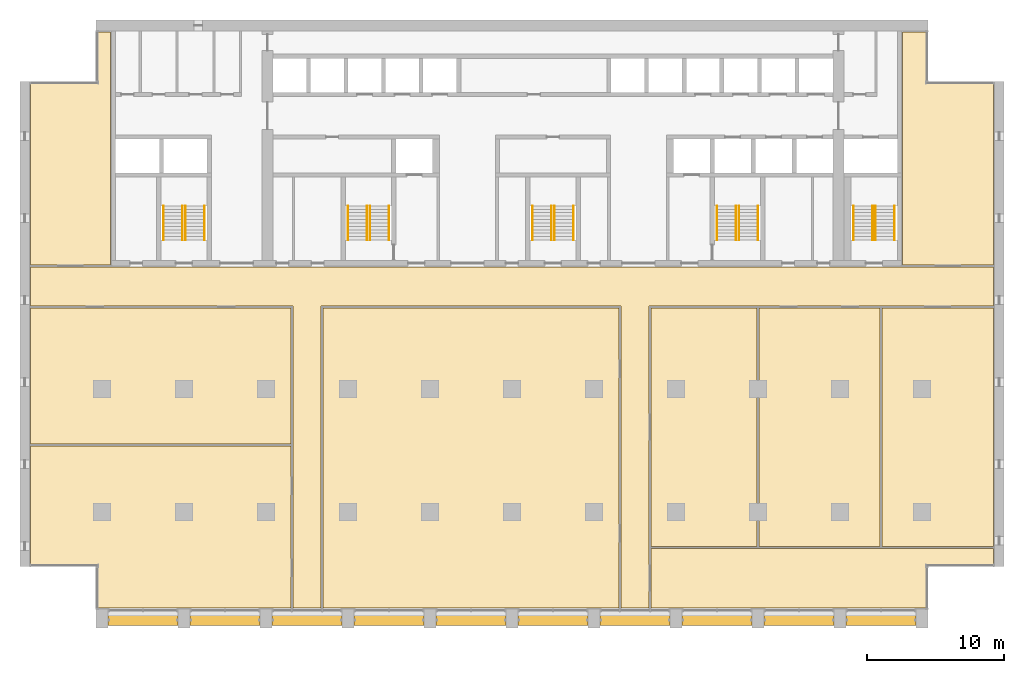
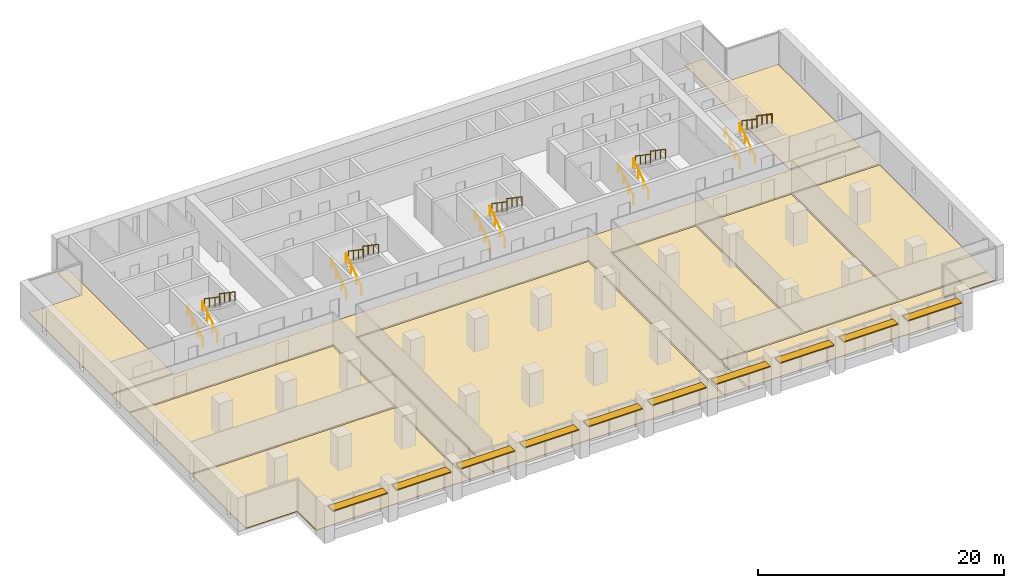
# One storey, part 15 of 15: 20 railings, 10 coverings, 10 shading devices, 5 elements without a shape of their own.
"""IFC4 building model written with IfcOpenShell, lengths in metres."""

from ifc_helpers import new_model, si_unit, direction, frame, origin, origin_2d, place, context, subcontext, project, spatial, polyline, rectangle, circle, outline, extrude, material, layer, layer_set, material_profile, profile_set, type_object, element, aggregate, save


model = new_model("IFC4")

# Units and contexts
model_context = context("Model", 3, precision=1e-05, world=origin(), true_north=direction((0.0, 1.0)))
body_context = subcontext(model_context, "Body", "Model", "MODEL_VIEW")
ifc_project = project(units=[si_unit("LENGTHUNIT", "METRE"), si_unit("AREAUNIT", "SQUARE_METRE"), si_unit("VOLUMEUNIT", "CUBIC_METRE"), si_unit("PLANEANGLEUNIT", "RADIAN"), si_unit("MASSUNIT", "GRAM", prefix="KILO")], contexts=[model_context])

# Site, building, storey
site_placement = place(None, origin())
site = spatial("IfcSite", under=ifc_project, at=site_placement, CompositionType="ELEMENT")
building_placement = place(site_placement, origin())
building = spatial("IfcBuilding", under=site, at=building_placement, Name="Calvaro Tower", CompositionType="ELEMENT")
storey_placement = place(building_placement, frame((0.0, 0.0, 128.75)))
storey = spatial("IfcBuildingStorey", under=building, at=storey_placement, Name="L32", CompositionType="ELEMENT", Elevation=128.75)

# Shading devices
ifc_material_1 = material(Name="Anodised aluminium", Category="aluminium")
ifc_material_profile = material_profile(ifc_material_1, rectangle(XDim=0.800048828125, YDim=0.10009765625, at=origin_2d()), Name="Brise-soleil blade 800 x 100")
ifc_profile_set = profile_set([ifc_material_profile], Name="Anodised aluminium")
shading_device_type = type_object("IfcShadingDeviceType", Name="Brise-soleil blade 800 x 100", PredefinedType="JALOUSIE", material=ifc_profile_set)
for number, where, z_axis, x_axis, name in (
    (1, (6.449951171875, 2.10009765625, 2.39990234375), (1.0, 0.0, 0.0), (0.0, 1.0, 0.0), "Brise-soleil blade 1"),
    (2, (12.449951171875, 2.10009765625, 2.39990234375), (1.0, 0.0, 0.0), (0.0, 1.0, 0.0), "Brise-soleil blade 2"),
    (3, (18.449951171875, 2.10009765625, 2.39990234375), (1.0, 0.0, 0.0), (0.0, 1.0, 0.0), "Brise-soleil blade 3"),
    (4, (24.449951171875, 2.10009765625, 2.39990234375), (1.0, 0.0, 0.0), (0.0, 1.0, 0.0), "Brise-soleil blade 4"),
    (5, (30.449951171875, 2.10009765625, 2.39990234375), (1.0, 0.0, 0.0), (0.0, 1.0, 0.0), "Brise-soleil blade 5"),
    (6, (36.449951171875, 2.10009765625, 2.39990234375), (1.0, 0.0, 0.0), (0.0, 1.0, 0.0), "Brise-soleil blade 6"),
    (7, (42.449951171875, 2.10009765625, 2.39990234375), (1.0, 0.0, 0.0), (0.0, 1.0, 0.0), "Brise-soleil blade 7"),
    (8, (48.449951171875, 2.10009765625, 2.39990234375), (1.0, 0.0, 0.0), (0.0, 1.0, 0.0), "Brise-soleil blade 8"),
    (9, (54.449951171875, 2.10009765625, 2.39990234375), (1.0, 0.0, 0.0), (0.0, 1.0, 0.0), "Brise-soleil blade 9"),
    (10, (60.449951171875, 2.10009765625, 2.39990234375), (1.0, 0.0, 0.0), (0.0, 1.0, 0.0), "Brise-soleil blade 10"),
):
    element("IfcShadingDevice", number, at=place(storey_placement, frame(where, z_axis=z_axis, x_axis=x_axis)), inside=storey, type_object=shading_device_type, Name=name, PredefinedType="JALOUSIE", context=body_context, shape_type="SweptSolid", body=[
        extrude(rectangle(XDim=0.800048828125, YDim=0.10009765625, at=origin_2d()), origin(), (0.0, 0.0, 1.0), 5.10009765625),
    ])

# Coverings
ifc_material_2 = material(Name="Cement screed with carpet tile finish")
ifc_layer = layer(ifc_material_2, 0.050048828125)
ifc_layer_set = layer_set([ifc_layer], Name="Cement screed with carpet tile finish")
covering_type = type_object("IfcCoveringType", Name="Floor finish 50", PredefinedType="FLOORING", material=ifc_layer_set)
covering_1_placement = place(storey_placement, origin())
element("IfcCovering", 11, at=covering_1_placement, inside=storey, type_object=covering_type, Name="Floor finish 20.01", PredefinedType="FLOORING", context=body_context, shape_type="SweptSolid", body=[
    extrude(outline(polyline([(19.969970703125, 2.969970703125), (19.969970703125, 25.070068359375), (0.77001953125, 25.070068359375), (0.77001953125, 27.929931640625), (71.22998046875, 27.929931640625), (71.22998046875, 25.070068359375), (46.030029296875, 25.070068359375), (46.030029296875, 2.969970703125), (43.969970703125, 2.969970703125), (43.969970703125, 25.070068359375), (22.030029296875, 25.070068359375), (22.030029296875, 2.969970703125), (19.969970703125, 2.969970703125)])), origin(), (0.0, 0.0, 1.0), 0.050048828125),
])
covering_2_placement = place(storey_placement, origin())
element("IfcCovering", 12, at=covering_2_placement, inside=storey, type_object=covering_type, Name="Floor finish 20.03", PredefinedType="FLOORING", context=body_context, shape_type="SweptSolid", body=[
    extrude(outline(polyline([(19.830078125, 14.830078125), (19.830078125, 2.969970703125), (5.6201171875, 2.969970703125), (5.6201171875, 6.070068359375), (0.77001953125, 6.070068359375), (0.77001953125, 14.830078125), (19.830078125, 14.830078125)])), origin(), (0.0, 0.0, 1.0), 0.050048828125),
])
covering_3_placement = place(storey_placement, origin())
element("IfcCovering", 13, at=covering_3_placement, inside=storey, type_object=covering_type, Name="Floor finish 20.08", PredefinedType="FLOORING", context=body_context, shape_type="SweptSolid", body=[
    extrude(outline(polyline([(19.830078125, 24.929931640625), (19.830078125, 14.969970703125), (0.77001953125, 14.969970703125), (0.77001953125, 24.929931640625), (19.830078125, 24.929931640625)])), origin(), (0.0, 0.0, 1.0), 0.050048828125),
])
covering_4_placement = place(storey_placement, origin())
element("IfcCovering", 14, at=covering_4_placement, inside=storey, type_object=covering_type, Name="Floor finish 20.04", PredefinedType="FLOORING", context=body_context, shape_type="SweptSolid", body=[
    extrude(outline(polyline([(22.169921875, 24.929931640625), (43.830078125, 24.929931640625), (43.830078125, 2.969970703125), (22.169921875, 2.969970703125), (22.169921875, 24.929931640625)])), origin(), (0.0, 0.0, 1.0), 0.050048828125),
])
covering_5_placement = place(storey_placement, origin())
element("IfcCovering", 15, at=covering_5_placement, inside=storey, type_object=covering_type, Name="Floor finish 20.02", PredefinedType="FLOORING", context=body_context, shape_type="SweptSolid", body=[
    extrude(outline(polyline([(71.22998046875, 6.070068359375), (66.3798828125, 6.070068359375), (66.3798828125, 2.969970703125), (46.169921875, 2.969970703125), (46.169921875, 7.330078125), (71.22998046875, 7.330078125), (71.22998046875, 6.070068359375)])), origin(), (0.0, 0.0, 1.0), 0.050048828125),
])
covering_6_placement = place(storey_placement, origin())
element("IfcCovering", 16, at=covering_6_placement, inside=storey, type_object=covering_type, Name="Floor finish 20.05", PredefinedType="FLOORING", context=body_context, shape_type="SweptSolid", body=[
    extrude(outline(polyline([(46.169921875, 7.469970703125), (46.169921875, 24.929931640625), (53.929931640625, 24.929931640625), (53.929931640625, 7.469970703125), (46.169921875, 7.469970703125)])), origin(), (0.0, 0.0, 1.0), 0.050048828125),
])
covering_7_placement = place(storey_placement, origin())
element("IfcCovering", 17, at=covering_7_placement, inside=storey, type_object=covering_type, Name="Floor finish 20.06", PredefinedType="FLOORING", context=body_context, shape_type="SweptSolid", body=[
    extrude(outline(polyline([(54.070068359375, 7.469970703125), (54.070068359375, 24.929931640625), (62.929931640625, 24.929931640625), (62.929931640625, 7.469970703125), (54.070068359375, 7.469970703125)])), origin(), (0.0, 0.0, 1.0), 0.050048828125),
])
covering_8_placement = place(storey_placement, origin())
element("IfcCovering", 18, at=covering_8_placement, inside=storey, type_object=covering_type, Name="Floor finish 20.07", PredefinedType="FLOORING", context=body_context, shape_type="SweptSolid", body=[
    extrude(outline(polyline([(71.22998046875, 7.469970703125), (63.070068359375, 7.469970703125), (63.070068359375, 24.929931640625), (71.22998046875, 24.929931640625), (71.22998046875, 7.469970703125)])), origin(), (0.0, 0.0, 1.0), 0.050048828125),
])
covering_9_placement = place(storey_placement, origin())
element("IfcCovering", 19, at=covering_9_placement, inside=storey, type_object=covering_type, Name="Floor finish 20.09", PredefinedType="FLOORING", context=body_context, shape_type="SweptSolid", body=[
    extrude(outline(polyline([(6.6298828125, 28.070068359375), (0.77001953125, 28.070068359375), (0.77001953125, 41.429931640625), (5.6201171875, 41.429931640625), (5.6201171875, 45.1298828125), (6.6298828125, 45.1298828125), (6.6298828125, 28.070068359375)])), origin(), (0.0, 0.0, 1.0), 0.050048828125),
])
covering_10_placement = place(storey_placement, origin())
element("IfcCovering", 20, at=covering_10_placement, inside=storey, type_object=covering_type, Name="Floor finish 20.10", PredefinedType="FLOORING", context=body_context, shape_type="SweptSolid", body=[
    extrude(outline(polyline([(71.22998046875, 28.070068359375), (64.570068359375, 28.070068359375), (64.570068359375, 45.1298828125), (66.3798828125, 45.1298828125), (66.3798828125, 41.429931640625), (71.22998046875, 41.429931640625), (71.22998046875, 28.070068359375)])), origin(), (0.0, 0.0, 1.0), 0.050048828125),
])

# Stair, railings
ifc_material_3 = material(Name="Concrete C40/50", Category="concrete")
stair_type = type_object("IfcStairType", Name="Exit stair 1400 2 flights", PredefinedType="HALF_TURN_STAIR", material=ifc_material_3)
stair_1_placement = place(storey_placement, origin())
stair_1 = element("IfcStair", 21, at=stair_1_placement, inside=storey, type_object=stair_type, Name="Exit stair S1", PredefinedType="HALF_TURN_STAIR")
ifc_material_4 = material(Name="Stainless steel", Category="steel")
railing_type = type_object("IfcRailingType", Name="Stair handrail", PredefinedType="HANDRAIL", material=ifc_material_4)
railing_1_placement = place(storey_placement, frame((11.89990234375, 29.89990234375, 0.17041015625)))
railing_1 = element("IfcRailing", 22, at=railing_1_placement, type_object=railing_type, Name="Exit stair 1 handrail", PredefinedType="HANDRAIL", context=body_context, shape_type="SweptSolid", body=[
    extrude(circle(Radius=0.02392578125, at=origin_2d()), frame((0.0, 0.0, 0.8759765625), z_axis=(0.0, 0.826220514629, 0.563346839174), x_axis=(-1.0, 0.0, 0.0)), (0.0, 0.0, 1.0), 3.02587890625),
    extrude(circle(Radius=0.02099609375, at=origin_2d()), frame((0.0, 0.017333984375, 0.01171875)), (0.0, 0.0, 1.0), 0.851806640625),
    extrude(circle(Radius=0.02099609375, at=origin_2d()), frame((0.0, 0.833251953125, 0.568115234375)), (0.0, 0.0, 1.0), 0.851806640625),
    extrude(circle(Radius=0.02099609375, at=origin_2d()), frame((0.0, 1.666748046875, 1.136474609375)), (0.0, 0.0, 1.0), 0.851806640625),
    extrude(circle(Radius=0.02099609375, at=origin_2d()), frame((0.0, 2.482666015625, 1.69287109375)), (0.0, 0.0, 1.0), 0.851806640625),
])
railing_2_placement = place(storey_placement, frame((10.5, 29.89990234375, 0.17041015625)))
railing_2 = element("IfcRailing", 23, at=railing_2_placement, type_object=railing_type, Name="Exit stair 1 handrail", PredefinedType="HANDRAIL", context=body_context, shape_type="SweptSolid", body=[
    extrude(circle(Radius=0.02392578125, at=origin_2d()), frame((0.0, 0.0, 0.8759765625), z_axis=(0.0, 0.826220514629, 0.563346839174), x_axis=(-1.0, 0.0, 0.0)), (0.0, 0.0, 1.0), 3.02587890625),
    extrude(circle(Radius=0.02099609375, at=origin_2d()), frame((0.0, 0.017333984375, 0.01171875)), (0.0, 0.0, 1.0), 0.851806640625),
    extrude(circle(Radius=0.02099609375, at=origin_2d()), frame((0.0, 0.833251953125, 0.568115234375)), (0.0, 0.0, 1.0), 0.851806640625),
    extrude(circle(Radius=0.02099609375, at=origin_2d()), frame((0.0, 1.666748046875, 1.136474609375)), (0.0, 0.0, 1.0), 0.851806640625),
    extrude(circle(Radius=0.02099609375, at=origin_2d()), frame((0.0, 2.482666015625, 1.69287109375)), (0.0, 0.0, 1.0), 0.851806640625),
])
railing_3_placement = place(storey_placement, frame((12.10009765625, 32.39990234375, 2.04541015625)))
railing_3 = element("IfcRailing", 24, at=railing_3_placement, type_object=railing_type, Name="Exit stair 1 handrail", PredefinedType="HANDRAIL", context=body_context, shape_type="SweptSolid", body=[
    extrude(circle(Radius=0.02392578125, at=origin_2d()), frame((0.0, 0.0, 0.8759765625), z_axis=(0.0, -0.826220514629, 0.563346839174), x_axis=(1.0, 0.0, 0.0)), (0.0, 0.0, 1.0), 3.02587890625),
    extrude(circle(Radius=0.02099609375, at=origin_2d()), frame((0.0, -0.017333984375, 0.01171875)), (0.0, 0.0, 1.0), 0.851806640625),
    extrude(circle(Radius=0.02099609375, at=origin_2d()), frame((0.0, -0.833251953125, 0.568115234375)), (0.0, 0.0, 1.0), 0.851806640625),
    extrude(circle(Radius=0.02099609375, at=origin_2d()), frame((0.0, -1.666748046875, 1.136474609375)), (0.0, 0.0, 1.0), 0.851806640625),
    extrude(circle(Radius=0.02099609375, at=origin_2d()), frame((0.0, -2.482666015625, 1.69287109375)), (0.0, 0.0, 1.0), 0.851806640625),
])
railing_4_placement = place(storey_placement, frame((13.5, 32.39990234375, 2.04541015625)))
railing_4 = element("IfcRailing", 25, at=railing_4_placement, type_object=railing_type, Name="Exit stair 1 handrail", PredefinedType="HANDRAIL", context=body_context, shape_type="SweptSolid", body=[
    extrude(circle(Radius=0.02392578125, at=origin_2d()), frame((0.0, 0.0, 0.8759765625), z_axis=(0.0, -0.826220514629, 0.563346839174), x_axis=(1.0, 0.0, 0.0)), (0.0, 0.0, 1.0), 3.02587890625),
    extrude(circle(Radius=0.02099609375, at=origin_2d()), frame((0.0, -0.017333984375, 0.01171875)), (0.0, 0.0, 1.0), 0.851806640625),
    extrude(circle(Radius=0.02099609375, at=origin_2d()), frame((0.0, -0.833251953125, 0.568115234375)), (0.0, 0.0, 1.0), 0.851806640625),
    extrude(circle(Radius=0.02099609375, at=origin_2d()), frame((0.0, -1.666748046875, 1.136474609375)), (0.0, 0.0, 1.0), 0.851806640625),
    extrude(circle(Radius=0.02099609375, at=origin_2d()), frame((0.0, -2.482666015625, 1.69287109375)), (0.0, 0.0, 1.0), 0.851806640625),
])
aggregate(stair_1, [railing_1, railing_2, railing_3, railing_4])

stair_2_placement = place(storey_placement, origin())
stair_2 = element("IfcStair", 26, at=stair_2_placement, inside=storey, type_object=stair_type, Name="Exit stair S2", PredefinedType="HALF_TURN_STAIR")
railing_5_placement = place(storey_placement, frame((25.39990234375, 29.89990234375, 0.17041015625)))
railing_5 = element("IfcRailing", 27, at=railing_5_placement, type_object=railing_type, Name="Exit stair 2 handrail", PredefinedType="HANDRAIL", context=body_context, shape_type="SweptSolid", body=[
    extrude(circle(Radius=0.02392578125, at=origin_2d()), frame((0.0, 0.0, 0.8759765625), z_axis=(0.0, 0.826220514629, 0.563346839174), x_axis=(-1.0, 0.0, 0.0)), (0.0, 0.0, 1.0), 3.02587890625),
    extrude(circle(Radius=0.02099609375, at=origin_2d()), frame((0.0, 0.017333984375, 0.01171875)), (0.0, 0.0, 1.0), 0.851806640625),
    extrude(circle(Radius=0.02099609375, at=origin_2d()), frame((0.0, 0.833251953125, 0.568115234375)), (0.0, 0.0, 1.0), 0.851806640625),
    extrude(circle(Radius=0.02099609375, at=origin_2d()), frame((0.0, 1.666748046875, 1.136474609375)), (0.0, 0.0, 1.0), 0.851806640625),
    extrude(circle(Radius=0.02099609375, at=origin_2d()), frame((0.0, 2.482666015625, 1.69287109375)), (0.0, 0.0, 1.0), 0.851806640625),
])
railing_6_placement = place(storey_placement, frame((24.0, 29.89990234375, 0.17041015625)))
railing_6 = element("IfcRailing", 28, at=railing_6_placement, type_object=railing_type, Name="Exit stair 2 handrail", PredefinedType="HANDRAIL", context=body_context, shape_type="SweptSolid", body=[
    extrude(circle(Radius=0.02392578125, at=origin_2d()), frame((0.0, 0.0, 0.8759765625), z_axis=(0.0, 0.826220514629, 0.563346839174), x_axis=(-1.0, 0.0, 0.0)), (0.0, 0.0, 1.0), 3.02587890625),
    extrude(circle(Radius=0.02099609375, at=origin_2d()), frame((0.0, 0.017333984375, 0.01171875)), (0.0, 0.0, 1.0), 0.851806640625),
    extrude(circle(Radius=0.02099609375, at=origin_2d()), frame((0.0, 0.833251953125, 0.568115234375)), (0.0, 0.0, 1.0), 0.851806640625),
    extrude(circle(Radius=0.02099609375, at=origin_2d()), frame((0.0, 1.666748046875, 1.136474609375)), (0.0, 0.0, 1.0), 0.851806640625),
    extrude(circle(Radius=0.02099609375, at=origin_2d()), frame((0.0, 2.482666015625, 1.69287109375)), (0.0, 0.0, 1.0), 0.851806640625),
])
railing_7_placement = place(storey_placement, frame((25.60009765625, 32.39990234375, 2.04541015625)))
railing_7 = element("IfcRailing", 29, at=railing_7_placement, type_object=railing_type, Name="Exit stair 2 handrail", PredefinedType="HANDRAIL", context=body_context, shape_type="SweptSolid", body=[
    extrude(circle(Radius=0.02392578125, at=origin_2d()), frame((0.0, 0.0, 0.8759765625), z_axis=(0.0, -0.826220514629, 0.563346839174), x_axis=(1.0, 0.0, 0.0)), (0.0, 0.0, 1.0), 3.02587890625),
    extrude(circle(Radius=0.02099609375, at=origin_2d()), frame((0.0, -0.017333984375, 0.01171875)), (0.0, 0.0, 1.0), 0.851806640625),
    extrude(circle(Radius=0.02099609375, at=origin_2d()), frame((0.0, -0.833251953125, 0.568115234375)), (0.0, 0.0, 1.0), 0.851806640625),
    extrude(circle(Radius=0.02099609375, at=origin_2d()), frame((0.0, -1.666748046875, 1.136474609375)), (0.0, 0.0, 1.0), 0.851806640625),
    extrude(circle(Radius=0.02099609375, at=origin_2d()), frame((0.0, -2.482666015625, 1.69287109375)), (0.0, 0.0, 1.0), 0.851806640625),
])
railing_8_placement = place(storey_placement, frame((27.0, 32.39990234375, 2.04541015625)))
railing_8 = element("IfcRailing", 30, at=railing_8_placement, type_object=railing_type, Name="Exit stair 2 handrail", PredefinedType="HANDRAIL", context=body_context, shape_type="SweptSolid", body=[
    extrude(circle(Radius=0.02392578125, at=origin_2d()), frame((0.0, 0.0, 0.8759765625), z_axis=(0.0, -0.826220514629, 0.563346839174), x_axis=(1.0, 0.0, 0.0)), (0.0, 0.0, 1.0), 3.02587890625),
    extrude(circle(Radius=0.02099609375, at=origin_2d()), frame((0.0, -0.017333984375, 0.01171875)), (0.0, 0.0, 1.0), 0.851806640625),
    extrude(circle(Radius=0.02099609375, at=origin_2d()), frame((0.0, -0.833251953125, 0.568115234375)), (0.0, 0.0, 1.0), 0.851806640625),
    extrude(circle(Radius=0.02099609375, at=origin_2d()), frame((0.0, -1.666748046875, 1.136474609375)), (0.0, 0.0, 1.0), 0.851806640625),
    extrude(circle(Radius=0.02099609375, at=origin_2d()), frame((0.0, -2.482666015625, 1.69287109375)), (0.0, 0.0, 1.0), 0.851806640625),
])
aggregate(stair_2, [railing_5, railing_6, railing_7, railing_8])

stair_3_placement = place(storey_placement, origin())
stair_3 = element("IfcStair", 31, at=stair_3_placement, inside=storey, type_object=stair_type, Name="Exit stair S3", PredefinedType="HALF_TURN_STAIR")
railing_9_placement = place(storey_placement, frame((38.89990234375, 29.89990234375, 0.17041015625)))
railing_9 = element("IfcRailing", 32, at=railing_9_placement, type_object=railing_type, Name="Exit stair 3 handrail", PredefinedType="HANDRAIL", context=body_context, shape_type="SweptSolid", body=[
    extrude(circle(Radius=0.02392578125, at=origin_2d()), frame((0.0, 0.0, 0.8759765625), z_axis=(0.0, 0.826220514629, 0.563346839174), x_axis=(-1.0, 0.0, 0.0)), (0.0, 0.0, 1.0), 3.02587890625),
    extrude(circle(Radius=0.02099609375, at=origin_2d()), frame((0.0, 0.017333984375, 0.01171875)), (0.0, 0.0, 1.0), 0.851806640625),
    extrude(circle(Radius=0.02099609375, at=origin_2d()), frame((0.0, 0.833251953125, 0.568115234375)), (0.0, 0.0, 1.0), 0.851806640625),
    extrude(circle(Radius=0.02099609375, at=origin_2d()), frame((0.0, 1.666748046875, 1.136474609375)), (0.0, 0.0, 1.0), 0.851806640625),
    extrude(circle(Radius=0.02099609375, at=origin_2d()), frame((0.0, 2.482666015625, 1.69287109375)), (0.0, 0.0, 1.0), 0.851806640625),
])
railing_10_placement = place(storey_placement, frame((37.5, 29.89990234375, 0.17041015625)))
railing_10 = element("IfcRailing", 33, at=railing_10_placement, type_object=railing_type, Name="Exit stair 3 handrail", PredefinedType="HANDRAIL", context=body_context, shape_type="SweptSolid", body=[
    extrude(circle(Radius=0.02392578125, at=origin_2d()), frame((0.0, 0.0, 0.8759765625), z_axis=(0.0, 0.826220514629, 0.563346839174), x_axis=(-1.0, 0.0, 0.0)), (0.0, 0.0, 1.0), 3.02587890625),
    extrude(circle(Radius=0.02099609375, at=origin_2d()), frame((0.0, 0.017333984375, 0.01171875)), (0.0, 0.0, 1.0), 0.851806640625),
    extrude(circle(Radius=0.02099609375, at=origin_2d()), frame((0.0, 0.833251953125, 0.568115234375)), (0.0, 0.0, 1.0), 0.851806640625),
    extrude(circle(Radius=0.02099609375, at=origin_2d()), frame((0.0, 1.666748046875, 1.136474609375)), (0.0, 0.0, 1.0), 0.851806640625),
    extrude(circle(Radius=0.02099609375, at=origin_2d()), frame((0.0, 2.482666015625, 1.69287109375)), (0.0, 0.0, 1.0), 0.851806640625),
])
railing_11_placement = place(storey_placement, frame((39.10009765625, 32.39990234375, 2.04541015625)))
railing_11 = element("IfcRailing", 34, at=railing_11_placement, type_object=railing_type, Name="Exit stair 3 handrail", PredefinedType="HANDRAIL", context=body_context, shape_type="SweptSolid", body=[
    extrude(circle(Radius=0.02392578125, at=origin_2d()), frame((0.0, 0.0, 0.8759765625), z_axis=(0.0, -0.826220514629, 0.563346839174), x_axis=(1.0, 0.0, 0.0)), (0.0, 0.0, 1.0), 3.02587890625),
    extrude(circle(Radius=0.02099609375, at=origin_2d()), frame((0.0, -0.017333984375, 0.01171875)), (0.0, 0.0, 1.0), 0.851806640625),
    extrude(circle(Radius=0.02099609375, at=origin_2d()), frame((0.0, -0.833251953125, 0.568115234375)), (0.0, 0.0, 1.0), 0.851806640625),
    extrude(circle(Radius=0.02099609375, at=origin_2d()), frame((0.0, -1.666748046875, 1.136474609375)), (0.0, 0.0, 1.0), 0.851806640625),
    extrude(circle(Radius=0.02099609375, at=origin_2d()), frame((0.0, -2.482666015625, 1.69287109375)), (0.0, 0.0, 1.0), 0.851806640625),
])
railing_12_placement = place(storey_placement, frame((40.5, 32.39990234375, 2.04541015625)))
railing_12 = element("IfcRailing", 35, at=railing_12_placement, type_object=railing_type, Name="Exit stair 3 handrail", PredefinedType="HANDRAIL", context=body_context, shape_type="SweptSolid", body=[
    extrude(circle(Radius=0.02392578125, at=origin_2d()), frame((0.0, 0.0, 0.8759765625), z_axis=(0.0, -0.826220514629, 0.563346839174), x_axis=(1.0, 0.0, 0.0)), (0.0, 0.0, 1.0), 3.02587890625),
    extrude(circle(Radius=0.02099609375, at=origin_2d()), frame((0.0, -0.017333984375, 0.01171875)), (0.0, 0.0, 1.0), 0.851806640625),
    extrude(circle(Radius=0.02099609375, at=origin_2d()), frame((0.0, -0.833251953125, 0.568115234375)), (0.0, 0.0, 1.0), 0.851806640625),
    extrude(circle(Radius=0.02099609375, at=origin_2d()), frame((0.0, -1.666748046875, 1.136474609375)), (0.0, 0.0, 1.0), 0.851806640625),
    extrude(circle(Radius=0.02099609375, at=origin_2d()), frame((0.0, -2.482666015625, 1.69287109375)), (0.0, 0.0, 1.0), 0.851806640625),
])
aggregate(stair_3, [railing_9, railing_10, railing_11, railing_12])

stair_4_placement = place(storey_placement, origin())
stair_4 = element("IfcStair", 36, at=stair_4_placement, inside=storey, type_object=stair_type, Name="Exit stair S4", PredefinedType="HALF_TURN_STAIR")
railing_13_placement = place(storey_placement, frame((52.39990234375, 29.89990234375, 0.17041015625)))
railing_13 = element("IfcRailing", 37, at=railing_13_placement, type_object=railing_type, Name="Exit stair 4 handrail", PredefinedType="HANDRAIL", context=body_context, shape_type="SweptSolid", body=[
    extrude(circle(Radius=0.02392578125, at=origin_2d()), frame((0.0, 0.0, 0.8759765625), z_axis=(0.0, 0.826220514629, 0.563346839174), x_axis=(-1.0, 0.0, 0.0)), (0.0, 0.0, 1.0), 3.02587890625),
    extrude(circle(Radius=0.02099609375, at=origin_2d()), frame((0.0, 0.017333984375, 0.01171875)), (0.0, 0.0, 1.0), 0.851806640625),
    extrude(circle(Radius=0.02099609375, at=origin_2d()), frame((0.0, 0.833251953125, 0.568115234375)), (0.0, 0.0, 1.0), 0.851806640625),
    extrude(circle(Radius=0.02099609375, at=origin_2d()), frame((0.0, 1.666748046875, 1.136474609375)), (0.0, 0.0, 1.0), 0.851806640625),
    extrude(circle(Radius=0.02099609375, at=origin_2d()), frame((0.0, 2.482666015625, 1.69287109375)), (0.0, 0.0, 1.0), 0.851806640625),
])
railing_14_placement = place(storey_placement, frame((51.0, 29.89990234375, 0.17041015625)))
railing_14 = element("IfcRailing", 38, at=railing_14_placement, type_object=railing_type, Name="Exit stair 4 handrail", PredefinedType="HANDRAIL", context=body_context, shape_type="SweptSolid", body=[
    extrude(circle(Radius=0.02392578125, at=origin_2d()), frame((0.0, 0.0, 0.8759765625), z_axis=(0.0, 0.826220514629, 0.563346839174), x_axis=(-1.0, 0.0, 0.0)), (0.0, 0.0, 1.0), 3.02587890625),
    extrude(circle(Radius=0.02099609375, at=origin_2d()), frame((0.0, 0.017333984375, 0.01171875)), (0.0, 0.0, 1.0), 0.851806640625),
    extrude(circle(Radius=0.02099609375, at=origin_2d()), frame((0.0, 0.833251953125, 0.568115234375)), (0.0, 0.0, 1.0), 0.851806640625),
    extrude(circle(Radius=0.02099609375, at=origin_2d()), frame((0.0, 1.666748046875, 1.136474609375)), (0.0, 0.0, 1.0), 0.851806640625),
    extrude(circle(Radius=0.02099609375, at=origin_2d()), frame((0.0, 2.482666015625, 1.69287109375)), (0.0, 0.0, 1.0), 0.851806640625),
])
railing_15_placement = place(storey_placement, frame((52.60009765625, 32.39990234375, 2.04541015625)))
railing_15 = element("IfcRailing", 39, at=railing_15_placement, type_object=railing_type, Name="Exit stair 4 handrail", PredefinedType="HANDRAIL", context=body_context, shape_type="SweptSolid", body=[
    extrude(circle(Radius=0.02392578125, at=origin_2d()), frame((0.0, 0.0, 0.8759765625), z_axis=(0.0, -0.826220514629, 0.563346839174), x_axis=(1.0, 0.0, 0.0)), (0.0, 0.0, 1.0), 3.02587890625),
    extrude(circle(Radius=0.02099609375, at=origin_2d()), frame((0.0, -0.017333984375, 0.01171875)), (0.0, 0.0, 1.0), 0.851806640625),
    extrude(circle(Radius=0.02099609375, at=origin_2d()), frame((0.0, -0.833251953125, 0.568115234375)), (0.0, 0.0, 1.0), 0.851806640625),
    extrude(circle(Radius=0.02099609375, at=origin_2d()), frame((0.0, -1.666748046875, 1.136474609375)), (0.0, 0.0, 1.0), 0.851806640625),
    extrude(circle(Radius=0.02099609375, at=origin_2d()), frame((0.0, -2.482666015625, 1.69287109375)), (0.0, 0.0, 1.0), 0.851806640625),
])
railing_16_placement = place(storey_placement, frame((54.0, 32.39990234375, 2.04541015625)))
railing_16 = element("IfcRailing", 40, at=railing_16_placement, type_object=railing_type, Name="Exit stair 4 handrail", PredefinedType="HANDRAIL", context=body_context, shape_type="SweptSolid", body=[
    extrude(circle(Radius=0.02392578125, at=origin_2d()), frame((0.0, 0.0, 0.8759765625), z_axis=(0.0, -0.826220514629, 0.563346839174), x_axis=(1.0, 0.0, 0.0)), (0.0, 0.0, 1.0), 3.02587890625),
    extrude(circle(Radius=0.02099609375, at=origin_2d()), frame((0.0, -0.017333984375, 0.01171875)), (0.0, 0.0, 1.0), 0.851806640625),
    extrude(circle(Radius=0.02099609375, at=origin_2d()), frame((0.0, -0.833251953125, 0.568115234375)), (0.0, 0.0, 1.0), 0.851806640625),
    extrude(circle(Radius=0.02099609375, at=origin_2d()), frame((0.0, -1.666748046875, 1.136474609375)), (0.0, 0.0, 1.0), 0.851806640625),
    extrude(circle(Radius=0.02099609375, at=origin_2d()), frame((0.0, -2.482666015625, 1.69287109375)), (0.0, 0.0, 1.0), 0.851806640625),
])
aggregate(stair_4, [railing_13, railing_14, railing_15, railing_16])

stair_5_placement = place(storey_placement, origin())
stair_5 = element("IfcStair", 41, at=stair_5_placement, inside=storey, type_object=stair_type, Name="Exit stair S5", PredefinedType="HALF_TURN_STAIR")
railing_17_placement = place(storey_placement, frame((62.39990234375, 29.89990234375, 0.17041015625)))
railing_17 = element("IfcRailing", 42, at=railing_17_placement, type_object=railing_type, Name="Exit stair 5 handrail", PredefinedType="HANDRAIL", context=body_context, shape_type="SweptSolid", body=[
    extrude(circle(Radius=0.02392578125, at=origin_2d()), frame((0.0, 0.0, 0.8759765625), z_axis=(0.0, 0.826220514629, 0.563346839174), x_axis=(-1.0, 0.0, 0.0)), (0.0, 0.0, 1.0), 3.02587890625),
    extrude(circle(Radius=0.02099609375, at=origin_2d()), frame((0.0, 0.017333984375, 0.01171875)), (0.0, 0.0, 1.0), 0.851806640625),
    extrude(circle(Radius=0.02099609375, at=origin_2d()), frame((0.0, 0.833251953125, 0.568115234375)), (0.0, 0.0, 1.0), 0.851806640625),
    extrude(circle(Radius=0.02099609375, at=origin_2d()), frame((0.0, 1.666748046875, 1.136474609375)), (0.0, 0.0, 1.0), 0.851806640625),
    extrude(circle(Radius=0.02099609375, at=origin_2d()), frame((0.0, 2.482666015625, 1.69287109375)), (0.0, 0.0, 1.0), 0.851806640625),
])
railing_18_placement = place(storey_placement, frame((61.0, 29.89990234375, 0.17041015625)))
railing_18 = element("IfcRailing", 43, at=railing_18_placement, type_object=railing_type, Name="Exit stair 5 handrail", PredefinedType="HANDRAIL", context=body_context, shape_type="SweptSolid", body=[
    extrude(circle(Radius=0.02392578125, at=origin_2d()), frame((0.0, 0.0, 0.8759765625), z_axis=(0.0, 0.826220514629, 0.563346839174), x_axis=(-1.0, 0.0, 0.0)), (0.0, 0.0, 1.0), 3.02587890625),
    extrude(circle(Radius=0.02099609375, at=origin_2d()), frame((0.0, 0.017333984375, 0.01171875)), (0.0, 0.0, 1.0), 0.851806640625),
    extrude(circle(Radius=0.02099609375, at=origin_2d()), frame((0.0, 0.833251953125, 0.568115234375)), (0.0, 0.0, 1.0), 0.851806640625),
    extrude(circle(Radius=0.02099609375, at=origin_2d()), frame((0.0, 1.666748046875, 1.136474609375)), (0.0, 0.0, 1.0), 0.851806640625),
    extrude(circle(Radius=0.02099609375, at=origin_2d()), frame((0.0, 2.482666015625, 1.69287109375)), (0.0, 0.0, 1.0), 0.851806640625),
])
railing_19_placement = place(storey_placement, frame((62.60009765625, 32.39990234375, 2.04541015625)))
railing_19 = element("IfcRailing", 44, at=railing_19_placement, type_object=railing_type, Name="Exit stair 5 handrail", PredefinedType="HANDRAIL", context=body_context, shape_type="SweptSolid", body=[
    extrude(circle(Radius=0.02392578125, at=origin_2d()), frame((0.0, 0.0, 0.8759765625), z_axis=(0.0, -0.826220514629, 0.563346839174), x_axis=(1.0, 0.0, 0.0)), (0.0, 0.0, 1.0), 3.02587890625),
    extrude(circle(Radius=0.02099609375, at=origin_2d()), frame((0.0, -0.017333984375, 0.01171875)), (0.0, 0.0, 1.0), 0.851806640625),
    extrude(circle(Radius=0.02099609375, at=origin_2d()), frame((0.0, -0.833251953125, 0.568115234375)), (0.0, 0.0, 1.0), 0.851806640625),
    extrude(circle(Radius=0.02099609375, at=origin_2d()), frame((0.0, -1.666748046875, 1.136474609375)), (0.0, 0.0, 1.0), 0.851806640625),
    extrude(circle(Radius=0.02099609375, at=origin_2d()), frame((0.0, -2.482666015625, 1.69287109375)), (0.0, 0.0, 1.0), 0.851806640625),
])
railing_20_placement = place(storey_placement, frame((64.0, 32.39990234375, 2.04541015625)))
railing_20 = element("IfcRailing", 45, at=railing_20_placement, type_object=railing_type, Name="Exit stair 5 handrail", PredefinedType="HANDRAIL", context=body_context, shape_type="SweptSolid", body=[
    extrude(circle(Radius=0.02392578125, at=origin_2d()), frame((0.0, 0.0, 0.8759765625), z_axis=(0.0, -0.826220514629, 0.563346839174), x_axis=(1.0, 0.0, 0.0)), (0.0, 0.0, 1.0), 3.02587890625),
    extrude(circle(Radius=0.02099609375, at=origin_2d()), frame((0.0, -0.017333984375, 0.01171875)), (0.0, 0.0, 1.0), 0.851806640625),
    extrude(circle(Radius=0.02099609375, at=origin_2d()), frame((0.0, -0.833251953125, 0.568115234375)), (0.0, 0.0, 1.0), 0.851806640625),
    extrude(circle(Radius=0.02099609375, at=origin_2d()), frame((0.0, -1.666748046875, 1.136474609375)), (0.0, 0.0, 1.0), 0.851806640625),
    extrude(circle(Radius=0.02099609375, at=origin_2d()), frame((0.0, -2.482666015625, 1.69287109375)), (0.0, 0.0, 1.0), 0.851806640625),
])
aggregate(stair_5, [railing_17, railing_18, railing_19, railing_20])

save(model, "model.ifc")
